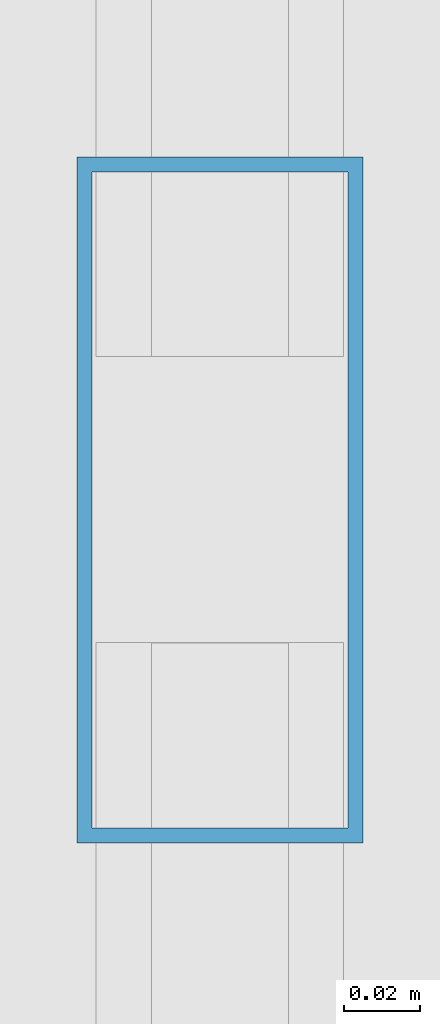
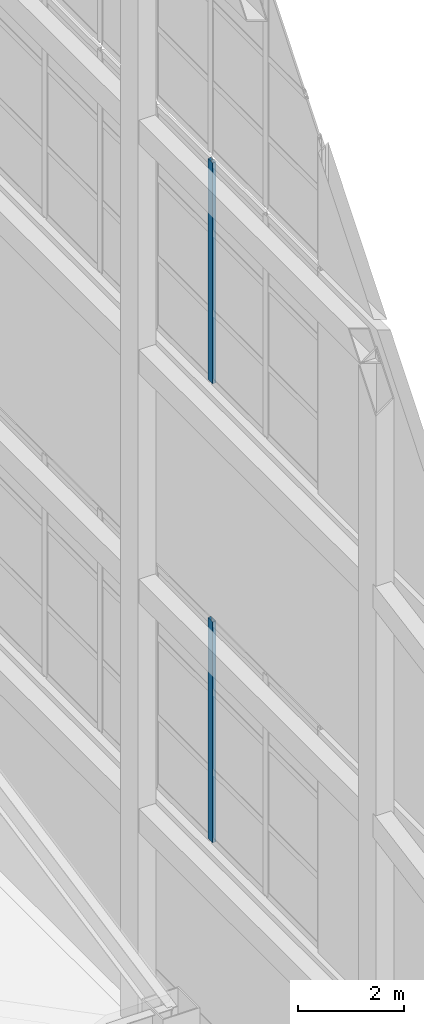
# One storey, part 29 of 47: 2 members, 2 elements without a shape of their own.
"""IFC4 building model written with IfcOpenShell, lengths in metres."""

from ifc_helpers import new_model, si_unit, direction, frame, origin, origin_2d, place, context, subcontext, project, spatial, hollow_rectangle, extrude, material, layer, layer_set, material_profile, profile_set, type_object, element, aggregate, save


model = new_model("IFC4")

# Units and contexts
model_context = context("Model", 3, precision=1e-05, world=origin(), true_north=direction((0.0, 1.0)))
body_context = subcontext(model_context, "Body", "Model", "MODEL_VIEW")
ifc_project = project(units=[si_unit("LENGTHUNIT", "METRE"), si_unit("AREAUNIT", "SQUARE_METRE"), si_unit("VOLUMEUNIT", "CUBIC_METRE"), si_unit("PLANEANGLEUNIT", "RADIAN"), si_unit("MASSUNIT", "GRAM", prefix="KILO")], contexts=[model_context])

# Site, building, storey
site_placement = place(None, origin())
site = spatial("IfcSite", under=ifc_project, at=site_placement, CompositionType="ELEMENT")
building_placement = place(site_placement, origin())
building = spatial("IfcBuilding", under=site, at=building_placement, Name="Qiaolan Cultural Towers", CompositionType="ELEMENT")
storey_placement = place(building_placement, frame((0.0, 0.0, 280.199951171875)))
storey = spatial("IfcBuildingStorey", under=building, at=storey_placement, Name="RF", CompositionType="ELEMENT", Elevation=280.199951171875)

# Curtain wall, member
ifc_material_1 = material(Name="Unitized Anodized Aluminium Curtain Wall System", Category="aluminium")
ifc_layer = layer(ifc_material_1, 0.199951171875)
ifc_layer_set = layer_set([ifc_layer], Name="Unitized Anodized Aluminium Curtain Wall System")
curtain_wall_type = type_object("IfcCurtainWallType", Name="CWS-06", PredefinedType="NOTDEFINED", material=ifc_layer_set)
curtain_wall_1_placement = place(storey_placement, origin())
curtain_wall_1 = element("IfcCurtainWall", 1, at=curtain_wall_1_placement, inside=storey, type_object=curtain_wall_type, Name="T1 Crown Tier 2 Fritted Screen Curtain Wall 3", PredefinedType="NOTDEFINED")
ifc_material_2 = material(Name="Extruded Aluminium 6063-T6", Category="aluminium")
ifc_material_profile = material_profile(ifc_material_2, hollow_rectangle(XDim=0.074951171875, YDim=0.179931640625, WallThickness=0.00390625, at=origin_2d()), Name="CWM-180x75x4")
ifc_profile_set = profile_set([ifc_material_profile], Name="Extruded Aluminium 6063-T6")
member_type = type_object("IfcMemberType", Name="CWS-06-MUL", PredefinedType="MULLION", material=ifc_profile_set)
member_1_placement = place(storey_placement, frame((45.050048828125, 31.909912109375, 5.400146484375), z_axis=(0.0, 0.0, 1.0), x_axis=(-1.0, 0.0, 0.0)))
member_1 = element("IfcMember", 2, at=member_1_placement, type_object=member_type, Name="CW-6 mullion 3", PredefinedType="MULLION", context=body_context, shape_type="SweptSolid", body=[
    extrude(hollow_rectangle(XDim=0.074951171875, YDim=0.179931640625, WallThickness=0.00390625, at=origin_2d()), origin(), (0.0, 0.0, 1.0), 5.099853515625),
])
aggregate(curtain_wall_1, [member_1])

curtain_wall_2_placement = place(storey_placement, origin())
curtain_wall_2 = element("IfcCurtainWall", 3, at=curtain_wall_2_placement, inside=storey, type_object=curtain_wall_type, Name="T1 Crown Tier 4 Fritted Screen Curtain Wall 3", PredefinedType="NOTDEFINED")
member_2_placement = place(storey_placement, frame((45.050048828125, 31.909912109375, 16.0), z_axis=(0.0, 0.0, 1.0), x_axis=(-1.0, 0.0, 0.0)))
member_2 = element("IfcMember", 4, at=member_2_placement, type_object=member_type, Name="CW-6 mullion 3", PredefinedType="MULLION", context=body_context, shape_type="SweptSolid", body=[
    extrude(hollow_rectangle(XDim=0.074951171875, YDim=0.179931640625, WallThickness=0.00390625, at=origin_2d()), origin(), (0.0, 0.0, 1.0), 5.10009765625),
])
aggregate(curtain_wall_2, [member_2])

save(model, "model.ifc")
